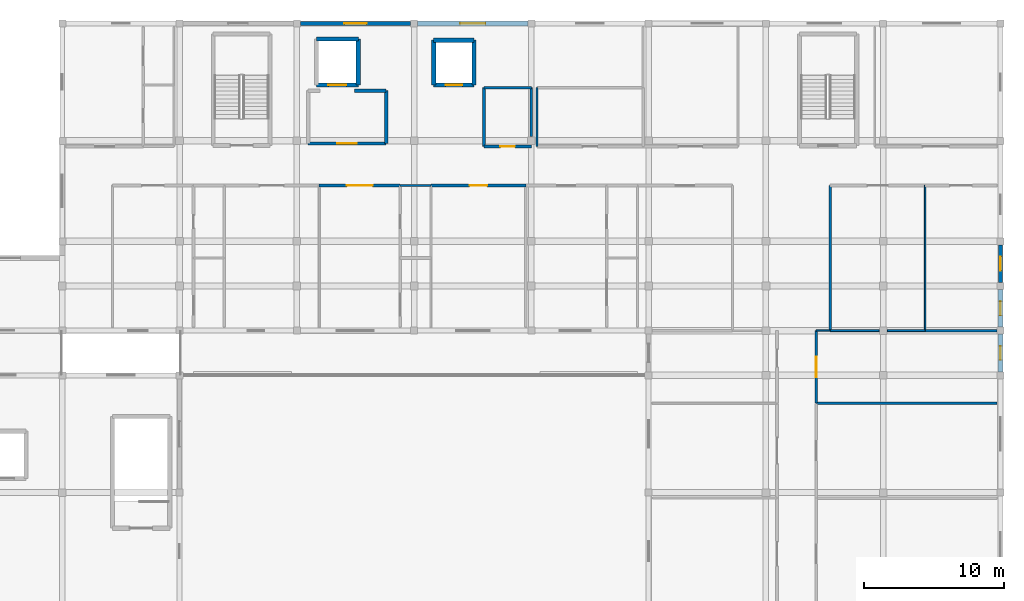
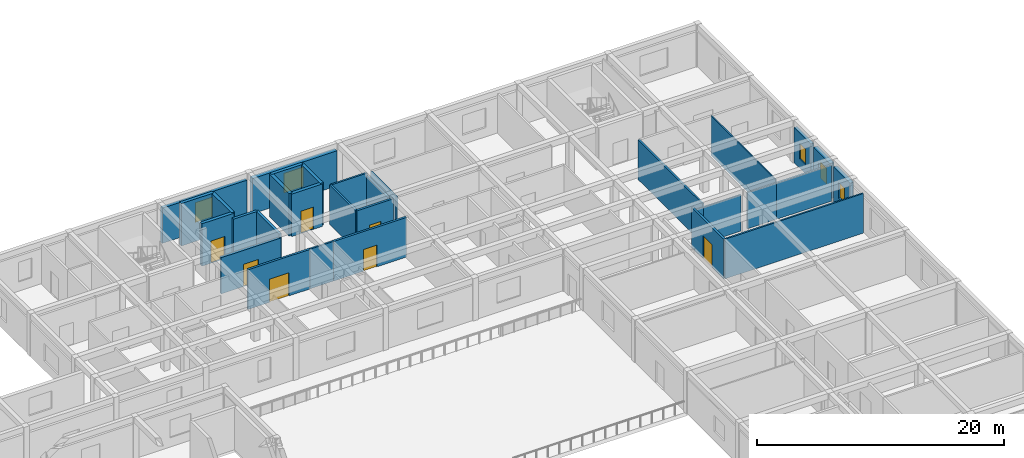
# One storey, part 19 of 28: 31 walls, 7 doors, 5 windows, 12 openings.
"""IFC4 building model written with IfcOpenShell, lengths in metres."""

from ifc_helpers import new_model, si_unit, direction, frame, frame_2d, origin, place, context, subcontext, project, spatial, rectangle, extrude, material, layer, layer_set, type_object, element, fill, save


model = new_model("IFC4")

# Units and contexts
model_context = context("Model", 3, precision=1e-05, world=origin(), true_north=direction((0.0, 1.0)))
body_context = subcontext(model_context, "Body", "Model", "MODEL_VIEW")
ifc_project = project(units=[si_unit("LENGTHUNIT", "METRE"), si_unit("AREAUNIT", "SQUARE_METRE"), si_unit("VOLUMEUNIT", "CUBIC_METRE"), si_unit("PLANEANGLEUNIT", "RADIAN"), si_unit("MASSUNIT", "GRAM", prefix="KILO")], contexts=[model_context])

# Site, building, storey
site_placement = place(None, origin())
site = spatial("IfcSite", under=ifc_project, at=site_placement, CompositionType="ELEMENT")
building_placement = place(site_placement, origin())
building = spatial("IfcBuilding", under=site, at=building_placement, Name="Varncliffe General Hospital", CompositionType="ELEMENT")
storey_placement = place(building_placement, frame((0.0, 0.0, 24.60009765625)))
storey = spatial("IfcBuildingStorey", under=building, at=storey_placement, Name="L05", CompositionType="ELEMENT", Elevation=24.60009765625)

# Wall, opening, window
ifc_material_1 = material(Name="Precast concrete C40/50 with insulated cream lime-cement stucco", Category="concrete")
ifc_layer_1 = layer(ifc_material_1, 0.3798828125)
ifc_layer_set_1 = layer_set([ifc_layer_1], Name="Precast concrete C40/50 with insulated cream lime-cement stucco")
wall_type_1 = type_object("IfcWallType", Name="Exterior Insulated Stucco Wall EW26 (380mm)", PredefinedType="SOLIDWALL", material=ifc_layer_set_1)
wall_1_placement = place(storey_placement, frame((134.64794921875, 124.800048828125, 0.0), z_axis=(0.0, 0.0, 1.0), x_axis=(1.0, 0.0, 0.0)))
wall_1 = element("IfcWall", 1, at=wall_1_placement, inside=storey, type_object=wall_type_1, Name="L05 Exterior Stucco Wall EW26-442", PredefinedType="SOLIDWALL", context=body_context, shape_type="SweptSolid", body=[
    extrude(rectangle(XDim=7.904052734375, YDim=0.3798828125, at=frame_2d((3.9521484375, 0.0))), origin(), (0.0, 0.0, 1.0), 3.47998046875),
])
opening_1_placement = place(wall_1_placement, frame((3.052001953125, 0.0, 0.89990234375)))
opening_1 = element("IfcOpeningElement", 2, at=opening_1_placement, cuts=wall_1, Name="Opening WN78", PredefinedType="OPENING", context=body_context, shape_type="SweptSolid", body=[
    extrude(rectangle(XDim=1.800048828125, YDim=1.949951171875, at=frame_2d((0.89990234375, 0.97509765625))), frame((0.0, 0.199951171875, 0.0), z_axis=(0.0, -1.0, 0.0), x_axis=(1.0, 0.0, 0.0)), (0.0, 0.0, 1.0), 0.39990234375),
])
ifc_material_2 = material(Name="Triple low-E argon insulated vision glazing", Category="glass")
window_type_1 = type_object("IfcWindowType", Name="Triple-Glazed Hospital Window WN78 (1800x1950)", PartitioningType="DOUBLE_PANEL_VERTICAL", PredefinedType="WINDOW", material=ifc_material_2)
window_1_placement = place(opening_1_placement, origin())
window_1 = element("IfcWindow", 3, at=window_1_placement, inside=storey, type_object=window_type_1, Name="L05 Hospital Window WN78-336", OverallHeight=1.949951171875, OverallWidth=1.800048828125, PartitioningType="DOUBLE_PANEL_VERTICAL", PredefinedType="WINDOW", context=body_context, shape_type="SweptSolid", body=[
    extrude(rectangle(XDim=1.800048828125, YDim=1.949951171875, at=frame_2d((0.89990234375, 0.97509765625))), frame((0.0, 0.030029296875, 0.0), z_axis=(0.0, -1.0, 0.0), x_axis=(1.0, 0.0, 0.0)), (0.0, 0.0, 1.0), 0.06005859375),
])
fill(opening_1, window_1)

wall_2_placement = place(storey_placement, frame((176.39990234375, 105.751953125, 0.0), z_axis=(0.0, 0.0, 1.0), x_axis=(0.0, -1.0, 0.0)))
wall_2 = element("IfcWall", 4, at=wall_2_placement, inside=storey, type_object=wall_type_1, Name="L05 Exterior Stucco Wall EW26-450", PredefinedType="SOLIDWALL", context=body_context, shape_type="SweptSolid", body=[
    extrude(rectangle(XDim=2.703857421875, YDim=0.3798828125, at=frame_2d((1.35205078125, 0.0))), origin(), (0.0, 0.0, 1.0), 3.47998046875),
])
opening_2_placement = place(wall_2_placement, frame((0.85205078125, 0.0, 0.89990234375)))
opening_2 = element("IfcOpeningElement", 5, at=opening_2_placement, cuts=wall_2, Name="Opening WN21", PredefinedType="OPENING", context=body_context, shape_type="SweptSolid", body=[
    extrude(rectangle(XDim=1.0, YDim=1.550048828125, at=frame_2d((0.5, 0.77490234375))), frame((0.0, 0.199951171875, 0.0), z_axis=(0.0, -1.0, 0.0), x_axis=(1.0, 0.0, 0.0)), (0.0, 0.0, 1.0), 0.39990234375),
])
window_type_2 = type_object("IfcWindowType", Name="Triple-Glazed Hospital Window WN21 (1000x1550)", PartitioningType="SINGLE_PANEL", PredefinedType="WINDOW", material=ifc_material_2)
window_2_placement = place(opening_2_placement, origin())
window_2 = element("IfcWindow", 6, at=window_2_placement, inside=storey, type_object=window_type_2, Name="L05 Hospital Window WN21-344", OverallHeight=1.550048828125, OverallWidth=1.0, PartitioningType="SINGLE_PANEL", PredefinedType="WINDOW", context=body_context, shape_type="SweptSolid", body=[
    extrude(rectangle(XDim=1.0, YDim=1.550048828125, at=frame_2d((0.5, 0.77490234375))), frame((0.0, 0.030029296875, 0.0), z_axis=(0.0, -1.0, 0.0), x_axis=(1.0, 0.0, 0.0)), (0.0, 0.0, 1.0), 0.06005859375),
])
fill(opening_2, window_2)

ifc_layer_2 = layer(ifc_material_1, 0.2900390625)
ifc_layer_set_2 = layer_set([ifc_layer_2], Name="Precast concrete C40/50 with insulated cream lime-cement stucco")
wall_type_2 = type_object("IfcWallType", Name="Exterior Insulated Stucco Wall EW31 (290mm)", PredefinedType="SOLIDWALL", material=ifc_layer_set_2)
wall_3_placement = place(storey_placement, frame((126.248046875, 124.800048828125, 0.0), z_axis=(0.0, 0.0, 1.0), x_axis=(1.0, 0.0, 0.0)))
wall_3 = element("IfcWall", 7, at=wall_3_placement, inside=storey, type_object=wall_type_2, Name="L05 Exterior Stucco Wall EW31-441", PredefinedType="SOLIDWALL", context=body_context, shape_type="SweptSolid", body=[
    extrude(rectangle(XDim=7.904052734375, YDim=0.2900390625, at=frame_2d((3.9521484375, 0.0))), origin(), (0.0, 0.0, 1.0), 3.47998046875),
])
opening_3_placement = place(wall_3_placement, frame((3.152099609375, 0.0, 0.89990234375)))
opening_3 = element("IfcOpeningElement", 8, at=opening_3_placement, cuts=wall_3, Name="Opening WN13", PredefinedType="OPENING", context=body_context, shape_type="SweptSolid", body=[
    extrude(rectangle(XDim=1.60009765625, YDim=1.949951171875, at=frame_2d((0.800048828125, 0.97509765625))), frame((0.0, 0.155029296875, 0.0), z_axis=(0.0, -1.0, 0.0), x_axis=(1.0, 0.0, 0.0)), (0.0, 0.0, 1.0), 0.31005859375),
])
window_type_3 = type_object("IfcWindowType", Name="Triple-Glazed Hospital Window WN13 (1600x1950)", PartitioningType="DOUBLE_PANEL_VERTICAL", PredefinedType="WINDOW", material=ifc_material_2)
window_3_placement = place(opening_3_placement, origin())
window_3 = element("IfcWindow", 9, at=window_3_placement, inside=storey, type_object=window_type_3, Name="L05 Hospital Window WN13-335", OverallHeight=1.949951171875, OverallWidth=1.60009765625, PartitioningType="DOUBLE_PANEL_VERTICAL", PredefinedType="WINDOW", context=body_context, shape_type="SweptSolid", body=[
    extrude(rectangle(XDim=1.60009765625, YDim=1.949951171875, at=frame_2d((0.800048828125, 0.97509765625))), frame((0.0, 0.030029296875, 0.0), z_axis=(0.0, -1.0, 0.0), x_axis=(1.0, 0.0, 0.0)), (0.0, 0.0, 1.0), 0.06005859375),
])
fill(opening_3, window_3)

wall_4_placement = place(storey_placement, frame((176.39990234375, 108.951904296875, 0.0), z_axis=(0.0, 0.0, 1.0), x_axis=(0.0, -1.0, 0.0)))
wall_4 = element("IfcWall", 10, at=wall_4_placement, inside=storey, type_object=wall_type_2, Name="L05 Exterior Stucco Wall EW31-449", PredefinedType="SOLIDWALL", context=body_context, shape_type="SweptSolid", body=[
    extrude(rectangle(XDim=2.703857421875, YDim=0.2900390625, at=frame_2d((1.35205078125, 0.0))), origin(), (0.0, 0.0, 1.0), 3.47998046875),
])
opening_4_placement = place(wall_4_placement, frame((0.85205078125, 0.0, 0.89990234375)))
opening_4 = element("IfcOpeningElement", 11, at=opening_4_placement, cuts=wall_4, Name="Opening WN21", PredefinedType="OPENING", context=body_context, shape_type="SweptSolid", body=[
    extrude(rectangle(XDim=1.0, YDim=1.550048828125, at=frame_2d((0.5, 0.77490234375))), frame((0.0, 0.155029296875, 0.0), z_axis=(0.0, -1.0, 0.0), x_axis=(1.0, 0.0, 0.0)), (0.0, 0.0, 1.0), 0.31005859375),
])
window_4_placement = place(opening_4_placement, origin())
window_4 = element("IfcWindow", 12, at=window_4_placement, inside=storey, type_object=window_type_2, Name="L05 Hospital Window WN21-343", OverallHeight=1.550048828125, OverallWidth=1.0, PartitioningType="SINGLE_PANEL", PredefinedType="WINDOW", context=body_context, shape_type="SweptSolid", body=[
    extrude(rectangle(XDim=1.0, YDim=1.550048828125, at=frame_2d((0.5, 0.77490234375))), frame((0.0, 0.030029296875, 0.0), z_axis=(0.0, -1.0, 0.0), x_axis=(1.0, 0.0, 0.0)), (0.0, 0.0, 1.0), 0.06005859375),
])
fill(opening_4, window_4)

ifc_layer_3 = layer(ifc_material_1, 0.35009765625)
ifc_layer_set_3 = layer_set([ifc_layer_3], Name="Precast concrete C40/50 with insulated cream lime-cement stucco")
wall_type_3 = type_object("IfcWallType", Name="Exterior Insulated Stucco Wall EW37 (350mm)", PredefinedType="SOLIDWALL", material=ifc_layer_set_3)
wall_5_placement = place(storey_placement, frame((176.39990234375, 102.552001953125, 0.0), z_axis=(0.0, 0.0, 1.0), x_axis=(0.0, -1.0, 0.0)))
wall_5 = element("IfcWall", 13, at=wall_5_placement, inside=storey, type_object=wall_type_3, Name="L05 Exterior Stucco Wall EW37-451", PredefinedType="SOLIDWALL", context=body_context, shape_type="SweptSolid", body=[
    extrude(rectangle(XDim=2.7041015625, YDim=0.35009765625, at=frame_2d((1.35205078125, 0.0))), origin(), (0.0, 0.0, 1.0), 3.47998046875),
])
opening_5_placement = place(wall_5_placement, frame((0.85205078125, 0.0, 0.89990234375)))
opening_5 = element("IfcOpeningElement", 14, at=opening_5_placement, cuts=wall_5, Name="Opening WN21", PredefinedType="OPENING", context=body_context, shape_type="SweptSolid", body=[
    extrude(rectangle(XDim=1.0, YDim=1.550048828125, at=frame_2d((0.5, 0.77490234375))), frame((0.0, 0.18505859375, 0.0), z_axis=(0.0, -1.0, 0.0), x_axis=(1.0, 0.0, 0.0)), (0.0, 0.0, 1.0), 0.3701171875),
])
window_5_placement = place(opening_5_placement, origin())
window_5 = element("IfcWindow", 15, at=window_5_placement, inside=storey, type_object=window_type_2, Name="L05 Hospital Window WN21-345", OverallHeight=1.550048828125, OverallWidth=1.0, PartitioningType="SINGLE_PANEL", PredefinedType="WINDOW", context=body_context, shape_type="SweptSolid", body=[
    extrude(rectangle(XDim=1.0, YDim=1.550048828125, at=frame_2d((0.5, 0.77490234375))), frame((0.0, 0.030029296875, 0.0), z_axis=(0.0, -1.0, 0.0), x_axis=(1.0, 0.0, 0.0)), (0.0, 0.0, 1.0), 0.06005859375),
])
fill(opening_5, window_5)

# Walls
ifc_material_3 = material(Name="Acoustic clinical gypsum stud partition assembly", Category="gypsum")
ifc_layer_4 = layer(ifc_material_3, 0.1298828125)
ifc_layer_set_4 = layer_set([ifc_layer_4], Name="Acoustic clinical gypsum stud partition assembly")
wall_type_4 = type_object("IfcWallType", Name="Interior Partitioning IW11 (130mm)", PredefinedType="PARTITIONING", material=ifc_layer_set_4)
wall_6_placement = place(storey_placement, frame((164.199951171875, 102.800048828125, 0.0), z_axis=(0.0, 0.0, 1.0), x_axis=(1.0, 0.0, 0.0)))
element("IfcWall", 16, at=wall_6_placement, inside=storey, type_object=wall_type_4, Name="L05 Interior Partition Wall IW11-2038", PredefinedType="PARTITIONING", context=body_context, shape_type="SweptSolid", body=[
    extrude(rectangle(XDim=3.510009765625, YDim=0.1298828125, at=frame_2d((1.7548828125, 0.0))), origin(), (0.0, 0.0, 1.0), 3.5849609375),
])
wall_7_placement = place(storey_placement, frame((168.2900390625, 102.800048828125, 0.0), z_axis=(0.0, 0.0, 1.0), x_axis=(1.0, 0.0, 0.0)))
element("IfcWall", 17, at=wall_7_placement, inside=storey, type_object=wall_type_4, Name="L05 Interior Partition Wall IW11-2039", PredefinedType="PARTITIONING", context=body_context, shape_type="SweptSolid", body=[
    extrude(rectangle(XDim=2.7099609375, YDim=0.1298828125, at=frame_2d((1.35498046875, 0.0))), origin(), (0.0, 0.0, 1.0), 3.5849609375),
])
ifc_layer_5 = layer(ifc_material_3, 0.169921875)
ifc_layer_set_5 = layer_set([ifc_layer_5], Name="Acoustic clinical gypsum stud partition assembly")
wall_type_5 = type_object("IfcWallType", Name="Interior Partitioning IW20 (170mm)", PredefinedType="PARTITIONING", material=ifc_layer_set_5)
wall_8_placement = place(storey_placement, frame((171.0, 102.800048828125, 0.0), z_axis=(0.0, 0.0, 1.0), x_axis=(1.0, 0.0, 0.0)))
element("IfcWall", 18, at=wall_8_placement, inside=storey, type_object=wall_type_5, Name="L05 Interior Partition Wall IW20-2040", PredefinedType="PARTITIONING", context=body_context, shape_type="SweptSolid", body=[
    extrude(rectangle(XDim=5.135009765625, YDim=0.169921875, at=frame_2d((2.5673828125, 0.0))), origin(), (0.0, 0.0, 1.0), 3.5849609375),
])
wall_9_placement = place(storey_placement, frame((164.199951171875, 102.800048828125, 0.0), z_axis=(0.0, 0.0, 1.0), x_axis=(0.0, 1.0, 0.0)))
element("IfcWall", 19, at=wall_9_placement, inside=storey, type_object=wall_type_5, Name="L05 Interior Partition Wall IW20-2190", PredefinedType="PARTITIONING", context=body_context, shape_type="SweptSolid", body=[
    extrude(rectangle(XDim=10.39990234375, YDim=0.169921875, at=frame_2d((5.199951171875, 0.0))), origin(), (0.0, 0.0, 1.0), 3.919921875),
])
ifc_layer_6 = layer(ifc_material_3, 0.14990234375)
ifc_layer_set_6 = layer_set([ifc_layer_6], Name="Acoustic clinical gypsum stud partition assembly")
wall_type_6 = type_object("IfcWallType", Name="Interior Partitioning IW35 (150mm)", PredefinedType="PARTITIONING", material=ifc_layer_set_6)
wall_10_placement = place(storey_placement, frame((163.199951171875, 97.60009765625, 0.0), z_axis=(0.0, 0.0, 1.0), x_axis=(1.0, 0.0, 0.0)))
element("IfcWall", 20, at=wall_10_placement, inside=storey, type_object=wall_type_6, Name="L05 Interior Partition Wall IW35-2029", PredefinedType="PARTITIONING", context=body_context, shape_type="SweptSolid", body=[
    extrude(rectangle(XDim=12.93994140625, YDim=0.14990234375, at=frame_2d((6.469970703125, 0.0))), origin(), (0.0, 0.0, 1.0), 3.919921875),
])
ifc_layer_7 = layer(ifc_material_3, 0.110107421875)
ifc_layer_set_7 = layer_set([ifc_layer_7], Name="Acoustic clinical gypsum stud partition assembly")
wall_type_7 = type_object("IfcWallType", Name="Interior Partitioning IW65 (110mm)", PredefinedType="PARTITIONING", material=ifc_layer_set_7)
wall_11_placement = place(storey_placement, frame((163.199951171875, 102.800048828125, 0.0), z_axis=(0.0, 0.0, 1.0), x_axis=(1.0, 0.0, 0.0)))
element("IfcWall", 21, at=wall_11_placement, inside=storey, type_object=wall_type_7, Name="L05 Interior Partition Wall IW65-2037", PredefinedType="PARTITIONING", context=body_context, shape_type="SweptSolid", body=[
    extrude(rectangle(XDim=1.0, YDim=0.110107421875, at=frame_2d((0.5, 0.0))), origin(), (0.0, 0.0, 1.0), 3.5849609375),
])
wall_12_placement = place(storey_placement, frame((171.0, 102.800048828125, 0.0), z_axis=(0.0, 0.0, 1.0), x_axis=(0.0, 1.0, 0.0)))
element("IfcWall", 22, at=wall_12_placement, inside=storey, type_object=wall_type_7, Name="L05 Interior Partition Wall IW65-2192", PredefinedType="PARTITIONING", context=body_context, shape_type="SweptSolid", body=[
    extrude(rectangle(XDim=10.39990234375, YDim=0.110107421875, at=frame_2d((5.199951171875, 0.0))), origin(), (0.0, 0.0, 1.0), 3.919921875),
])
ifc_material_4 = material(Name="Fire-rated gypsum and mineral-wool partition assembly", Category="gypsum")
ifc_layer_8 = layer(ifc_material_4, 0.25)
ifc_layer_set_8 = layer_set([ifc_layer_8], Name="Fire-rated gypsum and mineral-wool partition assembly")
wall_type_8 = type_object("IfcWallType", Name="Interior Partitioning PW38 (250mm)", PredefinedType="PARTITIONING", material=ifc_layer_set_8)
wall_13_placement = place(storey_placement, frame((130.135986328125, 120.0, 0.0), z_axis=(0.0, 0.0, 1.0), x_axis=(1.0, 0.0, 0.0)))
element("IfcWall", 23, at=wall_13_placement, inside=storey, type_object=wall_type_8, Name="L05 Interior Partition Wall PW38-2089", PredefinedType="PARTITIONING", context=body_context, shape_type="SweptSolid", body=[
    extrude(rectangle(XDim=2.263916015625, YDim=0.25, at=frame_2d((1.1318359375, 0.0))), origin(), (0.0, 0.0, 1.0), 3.919921875),
])
wall_14_placement = place(storey_placement, frame((132.39990234375, 116.199951171875, 0.0), z_axis=(0.0, 0.0, 1.0), x_axis=(0.0, 1.0, 0.0)))
element("IfcWall", 24, at=wall_14_placement, inside=storey, type_object=wall_type_8, Name="L05 Interior Partition Wall PW38-2149", PredefinedType="PARTITIONING", context=body_context, shape_type="SweptSolid", body=[
    extrude(rectangle(XDim=3.800048828125, YDim=0.25, at=frame_2d((1.89990234375, 0.0))), origin(), (0.0, 0.0, 1.0), 3.919921875),
])

# Wall, opening, door
ifc_layer_9 = layer(ifc_material_4, 0.22998046875)
ifc_layer_set_9 = layer_set([ifc_layer_9], Name="Fire-rated gypsum and mineral-wool partition assembly")
wall_type_9 = type_object("IfcWallType", Name="Interior Partitioning PW48 (230mm)", PredefinedType="PARTITIONING", material=ifc_layer_set_9)
wall_15_placement = place(storey_placement, frame((126.800048828125, 116.199951171875, 0.0), z_axis=(0.0, 0.0, 1.0), x_axis=(1.0, 0.0, 0.0)))
wall_15 = element("IfcWall", 25, at=wall_15_placement, inside=storey, type_object=wall_type_9, Name="L05 Interior Partition Wall PW48-2084", PredefinedType="PARTITIONING", context=body_context, shape_type="SweptSolid", body=[
    extrude(rectangle(XDim=5.599853515625, YDim=0.22998046875, at=frame_2d((2.7998046875, 0.0))), origin(), (0.0, 0.0, 1.0), 3.5849609375),
])
opening_6_placement = place(wall_15_placement, frame((2.10009765625, 0.0, 0.0)))
opening_6 = element("IfcOpeningElement", 26, at=opening_6_placement, cuts=wall_15, Name="Opening DF81", PredefinedType="OPENING", context=body_context, shape_type="SweptSolid", body=[
    extrude(rectangle(XDim=1.39990234375, YDim=2.199951171875, at=frame_2d((0.699951171875, 1.10009765625))), frame((0.0, 0.125, 0.0), z_axis=(0.0, -1.0, 0.0), x_axis=(1.0, 0.0, 0.0)), (0.0, 0.0, 1.0), 0.25),
])
ifc_material_5 = material(Name="Fire-rated hospital steel-frame vision-panel door", Category="steel")
door_type_1 = type_object("IfcDoorType", Name="Interior Hospital Door DF81 (1400x2200)", OperationType="NOTDEFINED", PredefinedType="DOOR", material=ifc_material_5)
door_1_placement = place(opening_6_placement, origin())
door_1 = element("IfcDoor", 27, at=door_1_placement, inside=storey, type_object=door_type_1, Name="L05 Firefighting Lift Lobby LF03 Door", OperationType="SINGLE_SWING_RIGHT", OverallHeight=2.199951171875, OverallWidth=1.39990234375, PredefinedType="DOOR", context=body_context, shape_type="SweptSolid", body=[
    extrude(rectangle(XDim=1.39990234375, YDim=2.199951171875, at=frame_2d((0.699951171875, 1.10009765625))), frame((0.0, 0.02490234375, 0.0), z_axis=(0.0, -1.0, 0.0), x_axis=(1.0, 0.0, 0.0)), (0.0, 0.0, 1.0), 0.050048828125),
])
fill(opening_6, door_1)

ifc_layer_10 = layer(ifc_material_4, 0.199951171875)
ifc_layer_set_10 = layer_set([ifc_layer_10], Name="Fire-rated gypsum and mineral-wool partition assembly")
wall_type_10 = type_object("IfcWallType", Name="Interior Partitioning PW63 (200mm)", PredefinedType="PARTITIONING", material=ifc_layer_set_10)
wall_16_placement = place(storey_placement, frame((127.60009765625, 113.199951171875, 0.0), z_axis=(0.0, 0.0, 1.0), x_axis=(1.0, 0.0, 0.0)))
wall_16 = element("IfcWall", 28, at=wall_16_placement, inside=storey, type_object=wall_type_10, Name="L05 Interior Partition Wall PW63-2062", PredefinedType="PARTITIONING", context=body_context, shape_type="SweptSolid", body=[
    extrude(rectangle(XDim=5.7998046875, YDim=0.199951171875, at=frame_2d((2.89990234375, 0.0))), origin(), (0.0, 0.0, 1.0), 3.919921875),
])
opening_7_placement = place(wall_16_placement, frame((1.97509765625, 0.0, 0.0)))
opening_7 = element("IfcOpeningElement", 29, at=opening_7_placement, cuts=wall_16, Name="Opening DC38", PredefinedType="OPENING", context=body_context, shape_type="SweptSolid", body=[
    extrude(rectangle(XDim=1.85009765625, YDim=2.300048828125, at=frame_2d((0.925048828125, 1.14990234375))), frame((0.0, 0.10986328125, 0.0), z_axis=(0.0, -1.0, 0.0), x_axis=(1.0, 0.0, 0.0)), (0.0, 0.0, 1.0), 0.219970703125),
])
door_type_2 = type_object("IfcDoorType", Name="Interior Hospital Door DC38 (1850x2300)", OperationType="NOTDEFINED", PredefinedType="DOOR", material=ifc_material_5)
door_2_placement = place(opening_7_placement, frame((1.85009765625, 0.0, 0.0), z_axis=(0.0, 0.0, 1.0), x_axis=(-1.0, 0.0, 0.0)))
door_2 = element("IfcDoor", 30, at=door_2_placement, inside=storey, type_object=door_type_2, Name="L05 Maternity Birthing and Postpartum Suite 64 Door", OperationType="SINGLE_SWING_LEFT", OverallHeight=2.300048828125, OverallWidth=1.85009765625, PredefinedType="DOOR", context=body_context, shape_type="SweptSolid", body=[
    extrude(rectangle(XDim=1.85009765625, YDim=2.300048828125, at=frame_2d((0.925048828125, 1.14990234375))), frame((0.0, 0.02490234375, 0.0), z_axis=(0.0, -1.0, 0.0), x_axis=(1.0, 0.0, 0.0)), (0.0, 0.0, 1.0), 0.050048828125),
])
fill(opening_7, door_2)

wall_17_placement = place(storey_placement, frame((135.60009765625, 113.199951171875, 0.0), z_axis=(0.0, 0.0, 1.0), x_axis=(1.0, 0.0, 0.0)))
wall_17 = element("IfcWall", 31, at=wall_17_placement, inside=storey, type_object=wall_type_10, Name="L05 Interior Partition Wall PW63-2064", PredefinedType="PARTITIONING", context=body_context, shape_type="SweptSolid", body=[
    extrude(rectangle(XDim=6.7998046875, YDim=0.199951171875, at=frame_2d((3.39990234375, 0.0))), origin(), (0.0, 0.0, 1.0), 3.919921875),
])
opening_8_placement = place(wall_17_placement, frame((2.77490234375, 0.0, 0.0)))
opening_8 = element("IfcOpeningElement", 32, at=opening_8_placement, cuts=wall_17, Name="Opening DC44", PredefinedType="OPENING", context=body_context, shape_type="SweptSolid", body=[
    extrude(rectangle(XDim=1.25, YDim=2.14990234375, at=frame_2d((0.625, 1.074951171875))), frame((0.0, 0.10986328125, 0.0), z_axis=(0.0, -1.0, 0.0), x_axis=(1.0, 0.0, 0.0)), (0.0, 0.0, 1.0), 0.219970703125),
])
door_type_3 = type_object("IfcDoorType", Name="Interior Hospital Door DC44 (1250x2150)", OperationType="NOTDEFINED", PredefinedType="DOOR", material=ifc_material_5)
door_3_placement = place(opening_8_placement, frame((1.25, 0.0, 0.0), z_axis=(0.0, 0.0, 1.0), x_axis=(-1.0, 0.0, 0.0)))
door_3 = element("IfcDoor", 33, at=door_3_placement, inside=storey, type_object=door_type_3, Name="L05 Family Waiting Lounge and Terrace Vestibule 67 Door", OperationType="SINGLE_SWING_RIGHT", OverallHeight=2.14990234375, OverallWidth=1.25, PredefinedType="DOOR", context=body_context, shape_type="SweptSolid", body=[
    extrude(rectangle(XDim=1.25, YDim=2.14990234375, at=frame_2d((0.625, 1.074951171875))), frame((0.0, 0.02490234375, 0.0), z_axis=(0.0, -1.0, 0.0), x_axis=(1.0, 0.0, 0.0)), (0.0, 0.0, 1.0), 0.050048828125),
])
fill(opening_8, door_3)

wall_18_placement = place(storey_placement, frame((139.39990234375, 116.0, 0.0), z_axis=(0.0, 0.0, 1.0), x_axis=(1.0, 0.0, 0.0)))
wall_18 = element("IfcWall", 34, at=wall_18_placement, inside=storey, type_object=wall_type_10, Name="L05 Interior Partition Wall PW63-2078", PredefinedType="PARTITIONING", context=body_context, shape_type="SweptSolid", body=[
    extrude(rectangle(XDim=3.400146484375, YDim=0.199951171875, at=frame_2d((1.7001953125, 0.0))), origin(), (0.0, 0.0, 1.0), 3.919921875),
])
opening_9_placement = place(wall_18_placement, frame((1.179931640625, 0.0, 0.0)))
opening_9 = element("IfcOpeningElement", 35, at=opening_9_placement, cuts=wall_18, Name="Opening DI77", PredefinedType="OPENING", context=body_context, shape_type="SweptSolid", body=[
    extrude(rectangle(XDim=1.0400390625, YDim=2.10009765625, at=frame_2d((0.52001953125, 1.050048828125))), frame((0.0, 0.10986328125, 0.0), z_axis=(0.0, -1.0, 0.0), x_axis=(1.0, 0.0, 0.0)), (0.0, 0.0, 1.0), 0.219970703125),
])
ifc_material_6 = material(Name="Solid-core antimicrobial hospital oak veneer door", Category="wood")
door_type_4 = type_object("IfcDoorType", Name="Interior Hospital Door DI77 (1040x2100)", OperationType="NOTDEFINED", PredefinedType="DOOR", material=ifc_material_6)
door_4_placement = place(opening_9_placement, origin())
door_4 = element("IfcDoor", 36, at=door_4_placement, inside=storey, type_object=door_type_4, Name="L05 Accessible WC L05-NE Door", OperationType="SINGLE_SWING_RIGHT", OverallHeight=2.10009765625, OverallWidth=1.0400390625, PredefinedType="DOOR", context=body_context, shape_type="SweptSolid", body=[
    extrude(rectangle(XDim=1.0400390625, YDim=2.10009765625, at=frame_2d((0.52001953125, 1.050048828125))), frame((0.0, 0.02490234375, 0.0), z_axis=(0.0, -1.0, 0.0), x_axis=(1.0, 0.0, 0.0)), (0.0, 0.0, 1.0), 0.050048828125),
])
fill(opening_9, door_4)

wall_19_placement = place(storey_placement, frame((163.199951171875, 97.60009765625, 0.0), z_axis=(0.0, 0.0, 1.0), x_axis=(0.0, 1.0, 0.0)))
wall_19 = element("IfcWall", 37, at=wall_19_placement, inside=storey, type_object=wall_type_10, Name="L05 Interior Partition Wall PW63-2189", PredefinedType="PARTITIONING", context=body_context, shape_type="SweptSolid", body=[
    extrude(rectangle(XDim=5.199951171875, YDim=0.199951171875, at=frame_2d((2.60009765625, 0.0))), origin(), (0.0, 0.0, 1.0), 3.919921875),
])
opening_10_placement = place(wall_19_placement, frame((1.875, 0.0, 0.0)))
opening_10 = element("IfcOpeningElement", 38, at=opening_10_placement, cuts=wall_19, Name="Opening DC66", PredefinedType="OPENING", context=body_context, shape_type="SweptSolid", body=[
    extrude(rectangle(XDim=1.449951171875, YDim=2.25, at=frame_2d((0.72509765625, 1.125))), frame((0.0, 0.10986328125, 0.0), z_axis=(0.0, -1.0, 0.0), x_axis=(1.0, 0.0, 0.0)), (0.0, 0.0, 1.0), 0.219970703125),
])
door_type_5 = type_object("IfcDoorType", Name="Interior Hospital Door DC66 (1450x2250)", OperationType="NOTDEFINED", PredefinedType="DOOR", material=ifc_material_5)
door_5_placement = place(opening_10_placement, frame((1.449951171875, 0.0, 0.0), z_axis=(0.0, 0.0, 1.0), x_axis=(-1.0, 0.0, 0.0)))
door_5 = element("IfcDoor", 39, at=door_5_placement, inside=storey, type_object=door_type_5, Name="L05 Maternity Birthing and Postpartum Suite 96 Door", OperationType="SINGLE_SWING_RIGHT", OverallHeight=2.25, OverallWidth=1.449951171875, PredefinedType="DOOR", context=body_context, shape_type="SweptSolid", body=[
    extrude(rectangle(XDim=1.449951171875, YDim=2.25, at=frame_2d((0.72509765625, 1.125))), frame((0.0, 0.02490234375, 0.0), z_axis=(0.0, -1.0, 0.0), x_axis=(1.0, 0.0, 0.0)), (0.0, 0.0, 1.0), 0.050048828125),
])
fill(opening_10, door_5)

# Walls
ifc_material_7 = material(Name="Moisture-resistant plumbing chase wall assembly", Category="gypsum")
ifc_layer_11 = layer(ifc_material_7, 0.18994140625)
ifc_layer_set_11 = layer_set([ifc_layer_11], Name="Moisture-resistant plumbing chase wall assembly")
wall_type_11 = type_object("IfcWallType", Name="Interior Plumbingwall MW17 (190mm)", PredefinedType="PLUMBINGWALL", material=ifc_layer_set_11)
wall_20_placement = place(storey_placement, frame((139.39990234375, 116.0, 0.0), z_axis=(0.0, 0.0, 1.0), x_axis=(0.0, 1.0, 0.0)))
element("IfcWall", 40, at=wall_20_placement, inside=storey, type_object=wall_type_11, Name="L05 Interior Plumbing Wall MW17-2154", PredefinedType="PLUMBINGWALL", context=body_context, shape_type="SweptSolid", body=[
    extrude(rectangle(XDim=4.199951171875, YDim=0.18994140625, at=frame_2d((2.10009765625, 0.0))), origin(), (0.0, 0.0, 1.0), 3.919921875),
])
wall_21_placement = place(storey_placement, frame((142.800048828125, 116.68994140625, 0.0), z_axis=(0.0, 0.0, 1.0), x_axis=(0.0, 1.0, 0.0)))
element("IfcWall", 41, at=wall_21_placement, inside=storey, type_object=wall_type_11, Name="L05 Interior Plumbing Wall MW17-2156", PredefinedType="PLUMBINGWALL", context=body_context, shape_type="SweptSolid", body=[
    extrude(rectangle(XDim=3.510009765625, YDim=0.18994140625, at=frame_2d((1.7548828125, 0.0))), origin(), (0.0, 0.0, 1.0), 3.635009765625),
])
ifc_layer_12 = layer(ifc_material_7, 0.159912109375)
ifc_layer_set_12 = layer_set([ifc_layer_12], Name="Moisture-resistant plumbing chase wall assembly")
wall_type_12 = type_object("IfcWallType", Name="Interior Plumbingwall MW31 (160mm)", PredefinedType="PLUMBINGWALL", material=ifc_layer_set_12)
wall_22_placement = place(storey_placement, frame((133.39990234375, 113.199951171875, 0.0), z_axis=(0.0, 0.0, 1.0), x_axis=(1.0, 0.0, 0.0)))
element("IfcWall", 42, at=wall_22_placement, inside=storey, type_object=wall_type_12, Name="L05 Interior Plumbing Wall MW31-2063", PredefinedType="PLUMBINGWALL", context=body_context, shape_type="SweptSolid", body=[
    extrude(rectangle(XDim=2.2001953125, YDim=0.159912109375, at=frame_2d((1.10009765625, 0.0))), origin(), (0.0, 0.0, 1.0), 3.919921875),
])
wall_23_placement = place(storey_placement, frame((139.39990234375, 120.199951171875, 0.0), z_axis=(0.0, 0.0, 1.0), x_axis=(1.0, 0.0, 0.0)))
element("IfcWall", 43, at=wall_23_placement, inside=storey, type_object=wall_type_12, Name="L05 Interior Plumbing Wall MW31-2093", PredefinedType="PLUMBINGWALL", context=body_context, shape_type="SweptSolid", body=[
    extrude(rectangle(XDim=3.400146484375, YDim=0.159912109375, at=frame_2d((1.7001953125, 0.0))), origin(), (0.0, 0.0, 1.0), 3.919921875),
])
wall_24_placement = place(storey_placement, frame((143.199951171875, 116.0, 0.0), z_axis=(0.0, 0.0, 1.0), x_axis=(0.0, 1.0, 0.0)))
element("IfcWall", 44, at=wall_24_placement, inside=storey, type_object=wall_type_12, Name="L05 Interior Plumbing Wall MW31-2157", PredefinedType="PLUMBINGWALL", context=body_context, shape_type="SweptSolid", body=[
    extrude(rectangle(XDim=4.199951171875, YDim=0.159912109375, at=frame_2d((2.10009765625, 0.0))), origin(), (0.0, 0.0, 1.0), 3.919921875),
])

# Wall, opening, door
ifc_material_8 = material(Name="Concrete C40/50 (CSA A23.1 40 MPa)", Category="concrete")
ifc_layer_13 = layer(ifc_material_8, 0.300048828125)
ifc_layer_set_13 = layer_set([ifc_layer_13], Name="Concrete C40/50 (CSA A23.1 40 MPa)")
wall_type_13 = type_object("IfcWallType", Name="Reinforced Concrete Core Shear Wall CW12 (300mm)", PredefinedType="SHEAR", material=ifc_layer_set_13)
wall_25_placement = place(storey_placement, frame((127.39990234375, 120.39990234375, 0.0), z_axis=(0.0, 0.0, 1.0), x_axis=(1.0, 0.0, 0.0)))
wall_25 = element("IfcWall", 45, at=wall_25_placement, inside=storey, type_object=wall_type_13, Name="L05 LF03 Elevator Shaft Wall South", PredefinedType="SHEAR", context=body_context, shape_type="SweptSolid", body=[
    extrude(rectangle(XDim=3.0, YDim=0.300048828125, at=frame_2d((1.5, 0.0))), origin(), (0.0, 0.0, 1.0), 4.199951171875),
])
opening_11_placement = place(wall_25_placement, frame((0.85009765625, 0.0, 0.0)))
opening_11 = element("IfcOpeningElement", 46, at=opening_11_placement, cuts=wall_25, Name="Opening LD02", PredefinedType="OPENING", context=body_context, shape_type="SweptSolid", body=[
    extrude(rectangle(XDim=1.300048828125, YDim=2.199951171875, at=frame_2d((0.64990234375, 1.10009765625))), frame((0.0, 0.16015625, 0.0), z_axis=(0.0, -1.0, 0.0), x_axis=(1.0, 0.0, 0.0)), (0.0, 0.0, 1.0), 0.320068359375),
])
ifc_material_9 = material(Name="Brushed stainless-steel sliding elevator landing door", Category="steel")
door_type_6 = type_object("IfcDoorType", Name="Lift Landing Door LD02 (1300x2200)", OperationType="DOUBLE_DOOR_SLIDING", PredefinedType="DOOR", material=ifc_material_9)
door_6_placement = place(opening_11_placement, origin())
door_6 = element("IfcDoor", 47, at=door_6_placement, inside=storey, type_object=door_type_6, Name="Lift Landing Door LF03 L05", OperationType="DOUBLE_DOOR_SLIDING", OverallHeight=2.199951171875, OverallWidth=1.300048828125, PredefinedType="DOOR", context=body_context, shape_type="SweptSolid", body=[
    extrude(rectangle(XDim=1.300048828125, YDim=2.199951171875, at=frame_2d((0.64990234375, 1.10009765625))), frame((0.0, 0.02490234375, 0.0), z_axis=(0.0, -1.0, 0.0), x_axis=(1.0, 0.0, 0.0)), (0.0, 0.0, 1.0), 0.050048828125),
])
fill(opening_11, door_6)

# Walls
wall_26_placement = place(storey_placement, frame((130.39990234375, 120.39990234375, 0.0), z_axis=(0.0, 0.0, 1.0), x_axis=(0.0, 1.0, 0.0)))
element("IfcWall", 48, at=wall_26_placement, inside=storey, type_object=wall_type_13, Name="L05 LF03 Elevator Shaft Wall East", PredefinedType="SHEAR", context=body_context, shape_type="SweptSolid", body=[
    extrude(rectangle(XDim=3.300048828125, YDim=0.300048828125, at=frame_2d((1.64990234375, 0.0))), origin(), (0.0, 0.0, 1.0), 4.199951171875),
])
wall_27_placement = place(storey_placement, frame((130.39990234375, 123.699951171875, 0.0), z_axis=(0.0, 0.0, 1.0), x_axis=(-1.0, 0.0, 0.0)))
element("IfcWall", 49, at=wall_27_placement, inside=storey, type_object=wall_type_13, Name="L05 LF03 Elevator Shaft Wall North", PredefinedType="SHEAR", context=body_context, shape_type="SweptSolid", body=[
    extrude(rectangle(XDim=3.0, YDim=0.300048828125, at=frame_2d((1.5, 0.0))), origin(), (0.0, 0.0, 1.0), 4.199951171875),
])

# Wall, opening, door
wall_28_placement = place(storey_placement, frame((135.800048828125, 120.39990234375, 0.0), z_axis=(0.0, 0.0, 1.0), x_axis=(1.0, 0.0, 0.0)))
wall_28 = element("IfcWall", 50, at=wall_28_placement, inside=storey, type_object=wall_type_13, Name="L05 LF05 Elevator Shaft Wall South", PredefinedType="SHEAR", context=body_context, shape_type="SweptSolid", body=[
    extrude(rectangle(XDim=2.89990234375, YDim=0.300048828125, at=frame_2d((1.449951171875, 0.0))), origin(), (0.0, 0.0, 1.0), 4.199951171875),
])
opening_12_placement = place(wall_28_placement, frame((0.85009765625, 0.0, 0.0)))
opening_12 = element("IfcOpeningElement", 51, at=opening_12_placement, cuts=wall_28, Name="Opening LD01", PredefinedType="OPENING", context=body_context, shape_type="SweptSolid", body=[
    extrude(rectangle(XDim=1.199951171875, YDim=2.199951171875, at=frame_2d((0.60009765625, 1.10009765625))), frame((0.0, 0.16015625, 0.0), z_axis=(0.0, -1.0, 0.0), x_axis=(1.0, 0.0, 0.0)), (0.0, 0.0, 1.0), 0.320068359375),
])
door_type_7 = type_object("IfcDoorType", Name="Lift Landing Door LD01 (1200x2200)", OperationType="DOUBLE_DOOR_SLIDING", PredefinedType="DOOR", material=ifc_material_9)
door_7_placement = place(opening_12_placement, origin())
door_7 = element("IfcDoor", 52, at=door_7_placement, inside=storey, type_object=door_type_7, Name="Lift Landing Door LF05 L05", OperationType="DOUBLE_DOOR_SLIDING", OverallHeight=2.199951171875, OverallWidth=1.199951171875, PredefinedType="DOOR", context=body_context, shape_type="SweptSolid", body=[
    extrude(rectangle(XDim=1.199951171875, YDim=2.199951171875, at=frame_2d((0.60009765625, 1.10009765625))), frame((0.0, 0.02490234375, 0.0), z_axis=(0.0, -1.0, 0.0), x_axis=(1.0, 0.0, 0.0)), (0.0, 0.0, 1.0), 0.050048828125),
])
fill(opening_12, door_7)

# Walls
wall_29_placement = place(storey_placement, frame((138.699951171875, 120.39990234375, 0.0), z_axis=(0.0, 0.0, 1.0), x_axis=(0.0, 1.0, 0.0)))
element("IfcWall", 53, at=wall_29_placement, inside=storey, type_object=wall_type_13, Name="L05 LF05 Elevator Shaft Wall East", PredefinedType="SHEAR", context=body_context, shape_type="SweptSolid", body=[
    extrude(rectangle(XDim=3.2001953125, YDim=0.300048828125, at=frame_2d((1.60009765625, 0.0))), origin(), (0.0, 0.0, 1.0), 4.199951171875),
])
wall_30_placement = place(storey_placement, frame((138.699951171875, 123.60009765625, 0.0), z_axis=(0.0, 0.0, 1.0), x_axis=(-1.0, 0.0, 0.0)))
element("IfcWall", 54, at=wall_30_placement, inside=storey, type_object=wall_type_13, Name="L05 LF05 Elevator Shaft Wall North", PredefinedType="SHEAR", context=body_context, shape_type="SweptSolid", body=[
    extrude(rectangle(XDim=2.89990234375, YDim=0.300048828125, at=frame_2d((1.449951171875, 0.0))), origin(), (0.0, 0.0, 1.0), 4.199951171875),
])
wall_31_placement = place(storey_placement, frame((135.800048828125, 123.60009765625, 0.0), z_axis=(0.0, 0.0, 1.0), x_axis=(0.0, -1.0, 0.0)))
element("IfcWall", 55, at=wall_31_placement, inside=storey, type_object=wall_type_13, Name="L05 LF05 Elevator Shaft Wall West", PredefinedType="SHEAR", context=body_context, shape_type="SweptSolid", body=[
    extrude(rectangle(XDim=3.2001953125, YDim=0.300048828125, at=frame_2d((1.60009765625, 0.0))), origin(), (0.0, 0.0, 1.0), 4.199951171875),
])

save(model, "model.ifc")
